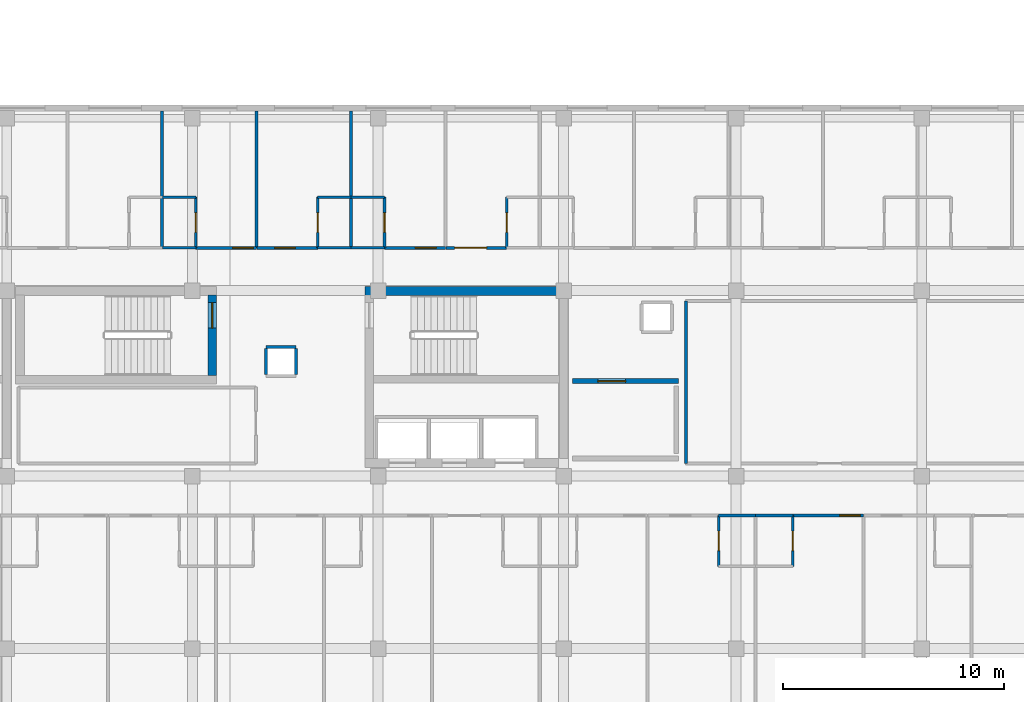
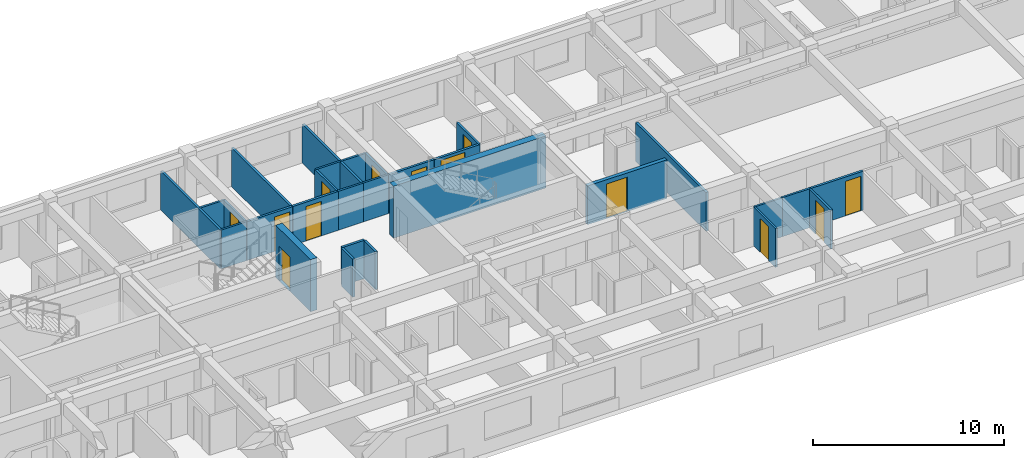
# One storey, part 136 of 144: 29 walls, 13 doors, 13 openings.
"""IFC4 building model written with IfcOpenShell, lengths in metres."""

from ifc_helpers import new_model, si_unit, direction, frame, frame_2d, origin, place, context, subcontext, project, spatial, rectangle, extrude, material, layer, layer_set, type_object, element, fill, save


model = new_model("IFC4")

# Units and contexts
model_context = context("Model", 3, precision=1e-05, world=origin(), true_north=direction((0.0, 1.0)))
body_context = subcontext(model_context, "Body", "Model", "MODEL_VIEW")
ifc_project = project(units=[si_unit("LENGTHUNIT", "METRE"), si_unit("AREAUNIT", "SQUARE_METRE"), si_unit("VOLUMEUNIT", "CUBIC_METRE"), si_unit("PLANEANGLEUNIT", "RADIAN"), si_unit("MASSUNIT", "GRAM", prefix="KILO")], contexts=[model_context])

# Site, building, storey
site_placement = place(None, origin())
site = spatial("IfcSite", under=ifc_project, at=site_placement, CompositionType="ELEMENT")
building_placement = place(site_placement, origin())
building = spatial("IfcBuilding", under=site, at=building_placement, Name="Zayran Congress Hotel", CompositionType="ELEMENT")
storey_placement = place(building_placement, frame((0.0, 0.0, 19.199951171875)))
storey = spatial("IfcBuildingStorey", under=building, at=storey_placement, Name="L04", CompositionType="ELEMENT", Elevation=19.199951171875)

# Wall
ifc_material_1 = material(Name="Concrete C40/50", Category="concrete")
ifc_layer_1 = layer(ifc_material_1, 0.39990234375)
ifc_layer_set_1 = layer_set([ifc_layer_1], Name="Concrete C40/50")
wall_type_1 = type_object("IfcWallType", Name="WL-SH-400", PredefinedType="SHEAR", material=ifc_layer_set_1)
wall_1_placement = place(storey_placement, frame((59.0, 25.5849609375, 0.0), z_axis=(0.0, 0.0, 1.0), x_axis=(-1.0, 0.0, 0.0)))
element("IfcWall", 1, at=wall_1_placement, inside=storey, type_object=wall_type_1, Name="CWALL-C-V5E-L04-N", PredefinedType="SHEAR", context=body_context, shape_type="SweptSolid", body=[
    extrude(rectangle(XDim=9.199951171875, YDim=0.39990234375, at=frame_2d((4.60009765625, 0.0))), origin(), (0.0, 0.0, 1.0), 3.320068359375),
])

# Wall, opening, door
wall_2_placement = place(storey_placement, frame((42.89990234375, 21.760009765625, 0.0), z_axis=(0.0, 0.0, 1.0), x_axis=(0.0, 1.0, 0.0)))
wall_2 = element("IfcWall", 2, at=wall_2_placement, inside=storey, type_object=wall_type_1, Name="CWALL-C-V5M-L04-E", PredefinedType="SHEAR", context=body_context, shape_type="SweptSolid", body=[
    extrude(rectangle(XDim=3.639892578125, YDim=0.39990234375, at=frame_2d((1.81982421875, 0.0))), origin(), (0.0, 0.0, 1.0), 3.320068359375),
])
opening_1_placement = place(wall_2_placement, frame((2.139892578125, 0.0, 0.0)))
opening_1 = element("IfcOpeningElement", 3, at=opening_1_placement, cuts=wall_2, Name="Opening DR-FD-90", PredefinedType="OPENING", context=body_context, shape_type="SweptSolid", body=[
    extrude(rectangle(XDim=1.14990234375, YDim=2.199951171875, at=frame_2d((0.574951171875, 1.10009765625))), frame((0.0, 0.2099609375, 0.0), z_axis=(0.0, -1.0, 0.0), x_axis=(1.0, 0.0, 0.0)), (0.0, 0.0, 1.0), 0.419921875),
])
ifc_material_2 = material(Name="Painted steel fire door assembly", Category="steel")
door_type_1 = type_object("IfcDoorType", Name="TP-DR-FD-90", OperationType="NOTDEFINED", PredefinedType="DOOR", material=ifc_material_2)
door_1_placement = place(opening_1_placement, origin())
door_1 = element("IfcDoor", 4, at=door_1_placement, inside=storey, type_object=door_type_1, Name="ST-13 Exit Stair Door L04", OperationType="SINGLE_SWING_RIGHT", OverallHeight=2.199951171875, OverallWidth=1.14990234375, PredefinedType="DOOR", context=body_context, shape_type="SweptSolid", body=[
    extrude(rectangle(XDim=1.14990234375, YDim=2.199951171875, at=frame_2d((0.574951171875, 1.10009765625))), frame((0.0, 0.02490234375, 0.0), z_axis=(0.0, -1.0, 0.0), x_axis=(1.0, 0.0, 0.0)), (0.0, 0.0, 1.0), 0.050048828125),
])
fill(opening_1, door_1)

ifc_material_3 = material(Name="Concrete C32/40 fire wall", Category="concrete")
ifc_layer_2 = layer(ifc_material_3, 0.219970703125)
ifc_layer_set_2 = layer_set([ifc_layer_2], Name="Concrete C32/40 fire wall")
wall_type_2 = type_object("IfcWallType", Name="WL-FF-220", PredefinedType="SOLIDWALL", material=ifc_layer_set_2)
wall_3_placement = place(storey_placement, frame((59.199951171875, 21.5, 0.0), z_axis=(0.0, 0.0, 1.0), x_axis=(1.0, 0.0, 0.0)))
wall_3 = element("IfcWall", 5, at=wall_3_placement, inside=storey, type_object=wall_type_2, Name="FFWL-C-V5E-L04-N", PredefinedType="SOLIDWALL", context=body_context, shape_type="SweptSolid", body=[
    extrude(rectangle(XDim=4.800048828125, YDim=0.219970703125, at=frame_2d((2.39990234375, 0.0))), origin(), (0.0, 0.0, 1.0), 2.469970703125),
])
opening_2_placement = place(wall_3_placement, frame((1.14990234375, 0.0, 0.0)))
opening_2 = element("IfcOpeningElement", 6, at=opening_2_placement, cuts=wall_3, Name="Opening DR-FF-60", PredefinedType="OPENING", context=body_context, shape_type="SweptSolid", body=[
    extrude(rectangle(XDim=1.25, YDim=2.199951171875, at=frame_2d((0.625, 1.10009765625))), frame((0.0, 0.119873046875, 0.0), z_axis=(0.0, -1.0, 0.0), x_axis=(1.0, 0.0, 0.0)), (0.0, 0.0, 1.0), 0.239990234375),
])
ifc_material_4 = material(Name="Painted steel smoke-seal fire door", Category="steel")
door_type_2 = type_object("IfcDoorType", Name="TP-DR-FF-60", OperationType="NOTDEFINED", PredefinedType="DOOR", material=ifc_material_4)
door_2_placement = place(opening_2_placement, origin())
door_2 = element("IfcDoor", 7, at=door_2_placement, inside=storey, type_object=door_type_2, Name="Firefighting Lift Lobby Door C-V5E L04", OperationType="SINGLE_SWING_RIGHT", OverallHeight=2.199951171875, OverallWidth=1.25, PredefinedType="DOOR", context=body_context, shape_type="SweptSolid", body=[
    extrude(rectangle(XDim=1.25, YDim=2.199951171875, at=frame_2d((0.625, 1.10009765625))), frame((0.0, 0.02490234375, 0.0), z_axis=(0.0, -1.0, 0.0), x_axis=(1.0, 0.0, 0.0)), (0.0, 0.0, 1.0), 0.050048828125),
])
fill(opening_2, door_2)

ifc_material_5 = material(Name="Hospitality guestroom acoustic partition", Category="gypsum")
ifc_layer_3 = layer(ifc_material_5, 0.139892578125)
ifc_layer_set_3 = layer_set([ifc_layer_3], Name="Hospitality guestroom acoustic partition")
wall_type_3 = type_object("IfcWallType", Name="WL-PT-140", PredefinedType="PARTITIONING", material=ifc_layer_set_3)
wall_4_placement = place(storey_placement, frame((69.157958984375, 15.419921875, 0.0), z_axis=(0.0, 0.0, 1.0), x_axis=(1.0, 0.0, 0.0)))
wall_4 = element("IfcWall", 8, at=wall_4_placement, inside=storey, type_object=wall_type_3, Name="IW-L04-0630", PredefinedType="PARTITIONING", context=body_context, shape_type="SweptSolid", body=[
    extrude(rectangle(XDim=3.203125, YDim=0.139892578125, at=frame_2d((1.6015625, 0.0))), origin(), (0.0, 0.0, 1.0), 2.47998046875),
])
opening_3_placement = place(wall_4_placement, frame((2.123046875, 0.0, 0.0)))
opening_3 = element("IfcOpeningElement", 9, at=opening_3_placement, cuts=wall_4, Name="Opening DR-GR-01", PredefinedType="OPENING", context=body_context, shape_type="SweptSolid", body=[
    extrude(rectangle(XDim=0.93994140625, YDim=2.199951171875, at=frame_2d((0.469970703125, 1.10009765625))), frame((0.0, 0.079833984375, 0.0), z_axis=(0.0, -1.0, 0.0), x_axis=(1.0, 0.0, 0.0)), (0.0, 0.0, 1.0), 0.159912109375),
])
ifc_material_6 = material(Name="Acoustic walnut veneer fire-rated entry door", Category="wood")
door_type_3 = type_object("IfcDoorType", Name="TP-DR-GR-01", OperationType="NOTDEFINED", PredefinedType="DOOR", material=ifc_material_6)
door_3_placement = place(opening_3_placement, origin())
door_3 = element("IfcDoor", 10, at=door_3_placement, inside=storey, type_object=door_type_3, Name="Guest Room L04-13 Door", OperationType="SINGLE_SWING_LEFT", OverallHeight=2.199951171875, OverallWidth=0.93994140625, PredefinedType="DOOR", context=body_context, shape_type="SweptSolid", body=[
    extrude(rectangle(XDim=0.93994140625, YDim=2.199951171875, at=frame_2d((0.469970703125, 1.10009765625))), frame((0.0, 0.02490234375, 0.0), z_axis=(0.0, -1.0, 0.0), x_axis=(1.0, 0.0, 0.0)), (0.0, 0.0, 1.0), 0.050048828125),
])
fill(opening_3, door_3)

wall_5_placement = place(storey_placement, frame((42.14599609375, 27.530029296875, 0.0), z_axis=(0.0, 0.0, 1.0), x_axis=(1.0, 0.0, 0.0)))
wall_5 = element("IfcWall", 11, at=wall_5_placement, inside=storey, type_object=wall_type_3, Name="IW-L04-0642", PredefinedType="PARTITIONING", context=body_context, shape_type="SweptSolid", body=[
    extrude(rectangle(XDim=2.7548828125, YDim=0.139892578125, at=frame_2d((1.37744140625, 0.0))), origin(), (0.0, 0.0, 1.0), 2.47998046875),
])
opening_4_placement = place(wall_5_placement, frame((1.675048828125, 0.0, 0.0)))
opening_4 = element("IfcOpeningElement", 12, at=opening_4_placement, cuts=wall_5, Name="Opening DR-GR-01", PredefinedType="OPENING", context=body_context, shape_type="SweptSolid", body=[
    extrude(rectangle(XDim=0.93994140625, YDim=2.199951171875, at=frame_2d((0.469970703125, 1.10009765625))), frame((0.0, 0.079833984375, 0.0), z_axis=(0.0, -1.0, 0.0), x_axis=(1.0, 0.0, 0.0)), (0.0, 0.0, 1.0), 0.159912109375),
])
door_4_placement = place(opening_4_placement, origin())
door_4 = element("IfcDoor", 13, at=door_4_placement, inside=storey, type_object=door_type_3, Name="Guest Room L04-23 Door", OperationType="SINGLE_SWING_RIGHT", OverallHeight=2.199951171875, OverallWidth=0.93994140625, PredefinedType="DOOR", context=body_context, shape_type="SweptSolid", body=[
    extrude(rectangle(XDim=0.93994140625, YDim=2.199951171875, at=frame_2d((0.469970703125, 1.10009765625))), frame((0.0, 0.02490234375, 0.0), z_axis=(0.0, -1.0, 0.0), x_axis=(1.0, 0.0, 0.0)), (0.0, 0.0, 1.0), 0.050048828125),
])
fill(opening_4, door_4)

wall_6_placement = place(storey_placement, frame((44.9208984375, 27.530029296875, 0.0), z_axis=(0.0, 0.0, 1.0), x_axis=(1.0, 0.0, 0.0)))
wall_6 = element("IfcWall", 14, at=wall_6_placement, inside=storey, type_object=wall_type_3, Name="IW-L04-0643", PredefinedType="PARTITIONING", context=body_context, shape_type="SweptSolid", body=[
    extrude(rectangle(XDim=2.754150390625, YDim=0.139892578125, at=frame_2d((1.376953125, 0.0))), origin(), (0.0, 0.0, 1.0), 2.47998046875),
])
opening_5_placement = place(wall_6_placement, frame((0.797119140625, 0.0, 0.0)))
opening_5 = element("IfcOpeningElement", 15, at=opening_5_placement, cuts=wall_6, Name="Opening DR-GR-01", PredefinedType="OPENING", context=body_context, shape_type="SweptSolid", body=[
    extrude(rectangle(XDim=0.93994140625, YDim=2.199951171875, at=frame_2d((0.469970703125, 1.10009765625))), frame((0.0, 0.079833984375, 0.0), z_axis=(0.0, -1.0, 0.0), x_axis=(1.0, 0.0, 0.0)), (0.0, 0.0, 1.0), 0.159912109375),
])
door_5_placement = place(opening_5_placement, origin())
door_5 = element("IfcDoor", 16, at=door_5_placement, inside=storey, type_object=door_type_3, Name="Guest Room L04-24 Door", OperationType="SINGLE_SWING_LEFT", OverallHeight=2.199951171875, OverallWidth=0.93994140625, PredefinedType="DOOR", context=body_context, shape_type="SweptSolid", body=[
    extrude(rectangle(XDim=0.93994140625, YDim=2.199951171875, at=frame_2d((0.469970703125, 1.10009765625))), frame((0.0, 0.02490234375, 0.0), z_axis=(0.0, -1.0, 0.0), x_axis=(1.0, 0.0, 0.0)), (0.0, 0.0, 1.0), 0.050048828125),
])
fill(opening_5, door_5)

wall_7_placement = place(storey_placement, frame((50.68896484375, 27.530029296875, 0.0), z_axis=(0.0, 0.0, 1.0), x_axis=(1.0, 0.0, 0.0)))
wall_7 = element("IfcWall", 17, at=wall_7_placement, inside=storey, type_object=wall_type_3, Name="IW-L04-0644", PredefinedType="PARTITIONING", context=body_context, shape_type="SweptSolid", body=[
    extrude(rectangle(XDim=2.755126953125, YDim=0.139892578125, at=frame_2d((1.37744140625, 0.0))), origin(), (0.0, 0.0, 1.0), 2.47998046875),
])
opening_6_placement = place(wall_7_placement, frame((1.40087890625, 0.0, 0.0)))
opening_6 = element("IfcOpeningElement", 18, at=opening_6_placement, cuts=wall_7, Name="Opening DR-GR-01", PredefinedType="OPENING", context=body_context, shape_type="SweptSolid", body=[
    extrude(rectangle(XDim=0.93994140625, YDim=2.199951171875, at=frame_2d((0.469970703125, 1.10009765625))), frame((0.0, 0.079833984375, 0.0), z_axis=(0.0, -1.0, 0.0), x_axis=(1.0, 0.0, 0.0)), (0.0, 0.0, 1.0), 0.159912109375),
])
door_6_placement = place(opening_6_placement, origin())
door_6 = element("IfcDoor", 19, at=door_6_placement, inside=storey, type_object=door_type_3, Name="Guest Room L04-25 Door", OperationType="SINGLE_SWING_RIGHT", OverallHeight=2.199951171875, OverallWidth=0.93994140625, PredefinedType="DOOR", context=body_context, shape_type="SweptSolid", body=[
    extrude(rectangle(XDim=0.93994140625, YDim=2.199951171875, at=frame_2d((0.469970703125, 1.10009765625))), frame((0.0, 0.02490234375, 0.0), z_axis=(0.0, -1.0, 0.0), x_axis=(1.0, 0.0, 0.0)), (0.0, 0.0, 1.0), 0.050048828125),
])
fill(opening_6, door_6)

wall_8_placement = place(storey_placement, frame((53.464111328125, 27.530029296875, 0.0), z_axis=(0.0, 0.0, 1.0), x_axis=(1.0, 0.0, 0.0)))
wall_8 = element("IfcWall", 20, at=wall_8_placement, inside=storey, type_object=wall_type_3, Name="IW-L04-0645", PredefinedType="PARTITIONING", context=body_context, shape_type="SweptSolid", body=[
    extrude(rectangle(XDim=2.7548828125, YDim=0.139892578125, at=frame_2d((1.37744140625, 0.0))), origin(), (0.0, 0.0, 1.0), 2.47998046875),
])
opening_7_placement = place(wall_8_placement, frame((0.39599609375, 0.0, 0.0)))
opening_7 = element("IfcOpeningElement", 21, at=opening_7_placement, cuts=wall_8, Name="Opening DR-ST-01", PredefinedType="OPENING", context=body_context, shape_type="SweptSolid", body=[
    extrude(rectangle(XDim=1.449951171875, YDim=2.300048828125, at=frame_2d((0.72509765625, 1.14990234375))), frame((0.0, 0.079833984375, 0.0), z_axis=(0.0, -1.0, 0.0), x_axis=(1.0, 0.0, 0.0)), (0.0, 0.0, 1.0), 0.159912109375),
])
ifc_material_7 = material(Name="Double walnut veneer suite entry door", Category="wood")
door_type_4 = type_object("IfcDoorType", Name="TP-DR-ST-01", OperationType="DOUBLE_DOOR_SINGLE_SWING", PredefinedType="DOOR", material=ifc_material_7)
door_7_placement = place(opening_7_placement, origin())
door_7 = element("IfcDoor", 22, at=door_7_placement, inside=storey, type_object=door_type_4, Name="Executive Suite L04-26 Door", OperationType="DOUBLE_DOOR_SINGLE_SWING", OverallHeight=2.300048828125, OverallWidth=1.449951171875, PredefinedType="DOOR", context=body_context, shape_type="SweptSolid", body=[
    extrude(rectangle(XDim=1.449951171875, YDim=2.300048828125, at=frame_2d((0.72509765625, 1.14990234375))), frame((0.0, 0.02490234375, 0.0), z_axis=(0.0, -1.0, 0.0), x_axis=(1.0, 0.0, 0.0)), (0.0, 0.0, 1.0), 0.050048828125),
])
fill(opening_7, door_7)

# Walls
wall_9_placement = place(storey_placement, frame((64.330078125, 17.77001953125, 0.0), z_axis=(0.0, 0.0, 1.0), x_axis=(0.0, 1.0, 0.0)))
element("IfcWall", 23, at=wall_9_placement, inside=storey, type_object=wall_type_3, Name="IW-L04-1943", PredefinedType="PARTITIONING", context=body_context, shape_type="SweptSolid", body=[
    extrude(rectangle(XDim=7.35986328125, YDim=0.139892578125, at=frame_2d((3.679931640625, 0.0))), origin(), (0.0, 0.0, 1.0), 2.47998046875),
])
for number, where, z_axis, x_axis, name in (
    (24, (40.62890625, 27.52001953125, 0.0), (0.0, 0.0, 1.0), (0.0, 1.0, 0.0), "IW-L04-1966"),
    (25, (44.90087890625, 27.52001953125, 0.0), (0.0, 0.0, 1.0), (0.0, 1.0, 0.0), "IW-L04-1967"),
    (26, (49.172119140625, 27.52001953125, 0.0), (0.0, 0.0, 1.0), (0.0, 1.0, 0.0), "IW-L04-1968"),
):
    element("IfcWall", number, at=place(storey_placement, frame(where, z_axis=z_axis, x_axis=x_axis)), inside=storey, type_object=wall_type_3, Name=name, PredefinedType="PARTITIONING", context=body_context, shape_type="SweptSolid", body=[
        extrude(rectangle(XDim=6.199951171875, YDim=0.139892578125, at=frame_2d((3.10009765625, 0.0))), origin(), (0.0, 0.0, 1.0), 2.47998046875),
    ])
wall_10_placement = place(storey_placement, frame((46.68994140625, 23.050048828125, 0.0), z_axis=(0.0, 0.0, 1.0), x_axis=(-1.0, 0.0, 0.0)))
element("IfcWall", 27, at=wall_10_placement, inside=storey, type_object=wall_type_3, Name="RSWL-V5-L04-036-N", PredefinedType="PARTITIONING", context=body_context, shape_type="SweptSolid", body=[
    extrude(rectangle(XDim=1.35986328125, YDim=0.139892578125, at=frame_2d((0.679931640625, 0.0))), origin(), (0.0, 0.0, 1.0), 2.43994140625),
])
for number, where, z_axis, x_axis, name in (
    (28, (45.330078125, 22.97998046875, 0.0), (0.0, 0.0, 1.0), (0.0, -1.0, 0.0), "RSWL-V5-L04-036-W"),
    (29, (46.68994140625, 21.800048828125, 0.0), (0.0, 0.0, 1.0), (0.0, 1.0, 0.0), "RSWL-V5-L04-036-E"),
):
    element("IfcWall", number, at=place(storey_placement, frame(where, z_axis=z_axis, x_axis=x_axis)), inside=storey, type_object=wall_type_3, Name=name, PredefinedType="PARTITIONING", context=body_context, shape_type="SweptSolid", body=[
        extrude(rectangle(XDim=1.179931640625, YDim=0.139892578125, at=frame_2d((0.58984375, 0.0))), origin(), (0.0, 0.0, 1.0), 2.43994140625),
    ])

# Wall, opening, door
ifc_material_8 = material(Name="Moisture-resistant bathroom partition", Category="gypsum")
ifc_layer_4 = layer(ifc_material_8, 0.1201171875)
ifc_layer_set_4 = layer_set([ifc_layer_4], Name="Moisture-resistant bathroom partition")
wall_type_4 = type_object("IfcWallType", Name="WL-PT-120", PredefinedType="PARTITIONING", material=ifc_layer_set_4)
wall_11_placement = place(storey_placement, frame((65.818115234375, 13.1201171875, 0.0), z_axis=(0.0, 0.0, 1.0), x_axis=(0.0, 1.0, 0.0)))
wall_11 = element("IfcWall", 30, at=wall_11_placement, inside=storey, type_object=wall_type_4, Name="IW-L04-0138", PredefinedType="PARTITIONING", context=body_context, shape_type="SweptSolid", body=[
    extrude(rectangle(XDim=2.309814453125, YDim=0.1201171875, at=frame_2d((1.15478515625, 0.0))), origin(), (0.0, 0.0, 1.0), 2.47998046875),
])
opening_8_placement = place(wall_11_placement, frame((0.715087890625, 0.0, 0.0)))
opening_8 = element("IfcOpeningElement", 31, at=opening_8_placement, cuts=wall_11, Name="Opening DR-BT-01", PredefinedType="OPENING", context=body_context, shape_type="SweptSolid", body=[
    extrude(rectangle(XDim=0.8798828125, YDim=2.14990234375, at=frame_2d((0.43994140625, 1.074951171875))), frame((0.0, 0.070068359375, 0.0), z_axis=(0.0, -1.0, 0.0), x_axis=(1.0, 0.0, 0.0)), (0.0, 0.0, 1.0), 0.14013671875),
])
ifc_material_9 = material(Name="Moisture-resistant oak en-suite door", Category="wood")
door_type_5 = type_object("IfcDoorType", Name="TP-DR-BT-01", OperationType="NOTDEFINED", PredefinedType="DOOR", material=ifc_material_9)
door_8_placement = place(opening_8_placement, origin())
door_8 = element("IfcDoor", 32, at=door_8_placement, inside=storey, type_object=door_type_5, Name="En-Suite Bathroom L04-12 Door", OperationType="SINGLE_SWING_LEFT", OverallHeight=2.14990234375, OverallWidth=0.8798828125, PredefinedType="DOOR", context=body_context, shape_type="SweptSolid", body=[
    extrude(rectangle(XDim=0.8798828125, YDim=2.14990234375, at=frame_2d((0.43994140625, 1.074951171875))), frame((0.0, 0.02490234375, 0.0), z_axis=(0.0, -1.0, 0.0), x_axis=(1.0, 0.0, 0.0)), (0.0, 0.0, 1.0), 0.050048828125),
])
fill(opening_8, door_8)

wall_12_placement = place(storey_placement, frame((69.157958984375, 13.1201171875, 0.0), z_axis=(0.0, 0.0, 1.0), x_axis=(0.0, 1.0, 0.0)))
wall_12 = element("IfcWall", 33, at=wall_12_placement, inside=storey, type_object=wall_type_4, Name="IW-L04-0139", PredefinedType="PARTITIONING", context=body_context, shape_type="SweptSolid", body=[
    extrude(rectangle(XDim=2.309814453125, YDim=0.1201171875, at=frame_2d((1.15478515625, 0.0))), origin(), (0.0, 0.0, 1.0), 2.47998046875),
])
opening_9_placement = place(wall_12_placement, frame((0.715087890625, 0.0, 0.0)))
opening_9 = element("IfcOpeningElement", 34, at=opening_9_placement, cuts=wall_12, Name="Opening DR-BT-01", PredefinedType="OPENING", context=body_context, shape_type="SweptSolid", body=[
    extrude(rectangle(XDim=0.8798828125, YDim=2.14990234375, at=frame_2d((0.43994140625, 1.074951171875))), frame((0.0, 0.070068359375, 0.0), z_axis=(0.0, -1.0, 0.0), x_axis=(1.0, 0.0, 0.0)), (0.0, 0.0, 1.0), 0.14013671875),
])
door_9_placement = place(opening_9_placement, origin())
door_9 = element("IfcDoor", 35, at=door_9_placement, inside=storey, type_object=door_type_5, Name="En-Suite Bathroom L04-13 Door", OperationType="SINGLE_SWING_RIGHT", OverallHeight=2.14990234375, OverallWidth=0.8798828125, PredefinedType="DOOR", context=body_context, shape_type="SweptSolid", body=[
    extrude(rectangle(XDim=0.8798828125, YDim=2.14990234375, at=frame_2d((0.43994140625, 1.074951171875))), frame((0.0, 0.02490234375, 0.0), z_axis=(0.0, -1.0, 0.0), x_axis=(1.0, 0.0, 0.0)), (0.0, 0.0, 1.0), 0.050048828125),
])
fill(opening_9, door_9)

wall_13_placement = place(storey_placement, frame((42.14599609375, 27.52001953125, 0.0), z_axis=(0.0, 0.0, 1.0), x_axis=(0.0, 1.0, 0.0)))
wall_13 = element("IfcWall", 36, at=wall_13_placement, inside=storey, type_object=wall_type_4, Name="IW-L04-0149", PredefinedType="PARTITIONING", context=body_context, shape_type="SweptSolid", body=[
    extrude(rectangle(XDim=2.31005859375, YDim=0.1201171875, at=frame_2d((1.155029296875, 0.0))), origin(), (0.0, 0.0, 1.0), 2.47998046875),
])
opening_10_placement = place(wall_13_placement, frame((0.715087890625, 0.0, 0.0)))
opening_10 = element("IfcOpeningElement", 37, at=opening_10_placement, cuts=wall_13, Name="Opening DR-BT-01", PredefinedType="OPENING", context=body_context, shape_type="SweptSolid", body=[
    extrude(rectangle(XDim=0.8798828125, YDim=2.14990234375, at=frame_2d((0.43994140625, 1.074951171875))), frame((0.0, 0.070068359375, 0.0), z_axis=(0.0, -1.0, 0.0), x_axis=(1.0, 0.0, 0.0)), (0.0, 0.0, 1.0), 0.14013671875),
])
door_10_placement = place(opening_10_placement, origin())
door_10 = element("IfcDoor", 38, at=door_10_placement, inside=storey, type_object=door_type_5, Name="En-Suite Bathroom L04-23 Door", OperationType="SINGLE_SWING_RIGHT", OverallHeight=2.14990234375, OverallWidth=0.8798828125, PredefinedType="DOOR", context=body_context, shape_type="SweptSolid", body=[
    extrude(rectangle(XDim=0.8798828125, YDim=2.14990234375, at=frame_2d((0.43994140625, 1.074951171875))), frame((0.0, 0.02490234375, 0.0), z_axis=(0.0, -1.0, 0.0), x_axis=(1.0, 0.0, 0.0)), (0.0, 0.0, 1.0), 0.050048828125),
])
fill(opening_10, door_10)

wall_14_placement = place(storey_placement, frame((47.675048828125, 27.52001953125, 0.0), z_axis=(0.0, 0.0, 1.0), x_axis=(0.0, 1.0, 0.0)))
wall_14 = element("IfcWall", 39, at=wall_14_placement, inside=storey, type_object=wall_type_4, Name="IW-L04-0150", PredefinedType="PARTITIONING", context=body_context, shape_type="SweptSolid", body=[
    extrude(rectangle(XDim=2.31005859375, YDim=0.1201171875, at=frame_2d((1.155029296875, 0.0))), origin(), (0.0, 0.0, 1.0), 2.47998046875),
])
opening_11_placement = place(wall_14_placement, frame((0.715087890625, 0.0, 0.0)))
opening_11 = element("IfcOpeningElement", 40, at=opening_11_placement, cuts=wall_14, Name="Opening DR-BT-01", PredefinedType="OPENING", context=body_context, shape_type="SweptSolid", body=[
    extrude(rectangle(XDim=0.8798828125, YDim=2.14990234375, at=frame_2d((0.43994140625, 1.074951171875))), frame((0.0, 0.070068359375, 0.0), z_axis=(0.0, -1.0, 0.0), x_axis=(1.0, 0.0, 0.0)), (0.0, 0.0, 1.0), 0.14013671875),
])
door_11_placement = place(opening_11_placement, origin())
door_11 = element("IfcDoor", 41, at=door_11_placement, inside=storey, type_object=door_type_5, Name="En-Suite Bathroom L04-24 Door", OperationType="SINGLE_SWING_LEFT", OverallHeight=2.14990234375, OverallWidth=0.8798828125, PredefinedType="DOOR", context=body_context, shape_type="SweptSolid", body=[
    extrude(rectangle(XDim=0.8798828125, YDim=2.14990234375, at=frame_2d((0.43994140625, 1.074951171875))), frame((0.0, 0.02490234375, 0.0), z_axis=(0.0, -1.0, 0.0), x_axis=(1.0, 0.0, 0.0)), (0.0, 0.0, 1.0), 0.050048828125),
])
fill(opening_11, door_11)

wall_15_placement = place(storey_placement, frame((50.68896484375, 27.52001953125, 0.0), z_axis=(0.0, 0.0, 1.0), x_axis=(0.0, 1.0, 0.0)))
wall_15 = element("IfcWall", 42, at=wall_15_placement, inside=storey, type_object=wall_type_4, Name="IW-L04-0151", PredefinedType="PARTITIONING", context=body_context, shape_type="SweptSolid", body=[
    extrude(rectangle(XDim=2.31005859375, YDim=0.1201171875, at=frame_2d((1.155029296875, 0.0))), origin(), (0.0, 0.0, 1.0), 2.47998046875),
])
opening_12_placement = place(wall_15_placement, frame((0.715087890625, 0.0, 0.0)))
opening_12 = element("IfcOpeningElement", 43, at=opening_12_placement, cuts=wall_15, Name="Opening DR-BT-01", PredefinedType="OPENING", context=body_context, shape_type="SweptSolid", body=[
    extrude(rectangle(XDim=0.8798828125, YDim=2.14990234375, at=frame_2d((0.43994140625, 1.074951171875))), frame((0.0, 0.070068359375, 0.0), z_axis=(0.0, -1.0, 0.0), x_axis=(1.0, 0.0, 0.0)), (0.0, 0.0, 1.0), 0.14013671875),
])
door_12_placement = place(opening_12_placement, origin())
door_12 = element("IfcDoor", 44, at=door_12_placement, inside=storey, type_object=door_type_5, Name="En-Suite Bathroom L04-25 Door", OperationType="SINGLE_SWING_RIGHT", OverallHeight=2.14990234375, OverallWidth=0.8798828125, PredefinedType="DOOR", context=body_context, shape_type="SweptSolid", body=[
    extrude(rectangle(XDim=0.8798828125, YDim=2.14990234375, at=frame_2d((0.43994140625, 1.074951171875))), frame((0.0, 0.02490234375, 0.0), z_axis=(0.0, -1.0, 0.0), x_axis=(1.0, 0.0, 0.0)), (0.0, 0.0, 1.0), 0.050048828125),
])
fill(opening_12, door_12)

wall_16_placement = place(storey_placement, frame((56.218994140625, 27.52001953125, 0.0), z_axis=(0.0, 0.0, 1.0), x_axis=(0.0, 1.0, 0.0)))
wall_16 = element("IfcWall", 45, at=wall_16_placement, inside=storey, type_object=wall_type_4, Name="IW-L04-0152", PredefinedType="PARTITIONING", context=body_context, shape_type="SweptSolid", body=[
    extrude(rectangle(XDim=2.31005859375, YDim=0.1201171875, at=frame_2d((1.155029296875, 0.0))), origin(), (0.0, 0.0, 1.0), 2.47998046875),
])
opening_13_placement = place(wall_16_placement, frame((0.715087890625, 0.0, 0.0)))
opening_13 = element("IfcOpeningElement", 46, at=opening_13_placement, cuts=wall_16, Name="Opening DR-BT-01", PredefinedType="OPENING", context=body_context, shape_type="SweptSolid", body=[
    extrude(rectangle(XDim=0.8798828125, YDim=2.14990234375, at=frame_2d((0.43994140625, 1.074951171875))), frame((0.0, 0.070068359375, 0.0), z_axis=(0.0, -1.0, 0.0), x_axis=(1.0, 0.0, 0.0)), (0.0, 0.0, 1.0), 0.14013671875),
])
door_13_placement = place(opening_13_placement, origin())
door_13 = element("IfcDoor", 47, at=door_13_placement, inside=storey, type_object=door_type_5, Name="En-Suite Bathroom L04-26 Door", OperationType="SINGLE_SWING_LEFT", OverallHeight=2.14990234375, OverallWidth=0.8798828125, PredefinedType="DOOR", context=body_context, shape_type="SweptSolid", body=[
    extrude(rectangle(XDim=0.8798828125, YDim=2.14990234375, at=frame_2d((0.43994140625, 1.074951171875))), frame((0.0, 0.02490234375, 0.0), z_axis=(0.0, -1.0, 0.0), x_axis=(1.0, 0.0, 0.0)), (0.0, 0.0, 1.0), 0.050048828125),
])
fill(opening_13, door_13)

# Walls
for number, where, z_axis, x_axis, name in (
    (48, (65.80810546875, 15.419921875, 0.0), (0.0, 0.0, 1.0), (1.0, 0.0, 0.0), "IW-L04-1144"),
    (49, (67.488037109375, 15.419921875, 0.0), (0.0, 0.0, 1.0), (1.0, 0.0, 0.0), "IW-L04-1146"),
):
    element("IfcWall", number, at=place(storey_placement, frame(where, z_axis=z_axis, x_axis=x_axis)), inside=storey, type_object=wall_type_4, Name=name, PredefinedType="PARTITIONING", context=body_context, shape_type="SweptSolid", body=[
        extrude(rectangle(XDim=1.679931640625, YDim=0.1201171875, at=frame_2d((0.83984375, 0.0))), origin(), (0.0, 0.0, 1.0), 2.47998046875),
    ])
for number, where, z_axis, x_axis, name in (
    (50, (40.638916015625, 27.530029296875, 0.0), (0.0, 0.0, 1.0), (1.0, 0.0, 0.0), "IW-L04-1165"),
    (51, (40.638916015625, 29.820068359375, 0.0), (0.0, 0.0, 1.0), (1.0, 0.0, 0.0), "IW-L04-1166"),
):
    element("IfcWall", number, at=place(storey_placement, frame(where, z_axis=z_axis, x_axis=x_axis)), inside=storey, type_object=wall_type_4, Name=name, PredefinedType="PARTITIONING", context=body_context, shape_type="SweptSolid", body=[
        extrude(rectangle(XDim=1.51708984375, YDim=0.1201171875, at=frame_2d((0.758544921875, 0.0))), origin(), (0.0, 0.0, 1.0), 2.47998046875),
    ])
for number, where, z_axis, x_axis, name in (
    (52, (47.6650390625, 27.530029296875, 0.0), (0.0, 0.0, 1.0), (1.0, 0.0, 0.0), "IW-L04-1167"),
    (53, (47.6650390625, 29.820068359375, 0.0), (0.0, 0.0, 1.0), (1.0, 0.0, 0.0), "IW-L04-1168"),
):
    element("IfcWall", number, at=place(storey_placement, frame(where, z_axis=z_axis, x_axis=x_axis)), inside=storey, type_object=wall_type_4, Name=name, PredefinedType="PARTITIONING", context=body_context, shape_type="SweptSolid", body=[
        extrude(rectangle(XDim=1.516845703125, YDim=0.1201171875, at=frame_2d((0.75830078125, 0.0))), origin(), (0.0, 0.0, 1.0), 2.47998046875),
    ])
for number, where, z_axis, x_axis, name in (
    (54, (49.181884765625, 27.530029296875, 0.0), (0.0, 0.0, 1.0), (1.0, 0.0, 0.0), "IW-L04-1169"),
    (55, (49.181884765625, 29.820068359375, 0.0), (0.0, 0.0, 1.0), (1.0, 0.0, 0.0), "IW-L04-1170"),
):
    element("IfcWall", number, at=place(storey_placement, frame(where, z_axis=z_axis, x_axis=x_axis)), inside=storey, type_object=wall_type_4, Name=name, PredefinedType="PARTITIONING", context=body_context, shape_type="SweptSolid", body=[
        extrude(rectangle(XDim=1.51708984375, YDim=0.1201171875, at=frame_2d((0.758544921875, 0.0))), origin(), (0.0, 0.0, 1.0), 2.47998046875),
    ])

save(model, "model.ifc")
